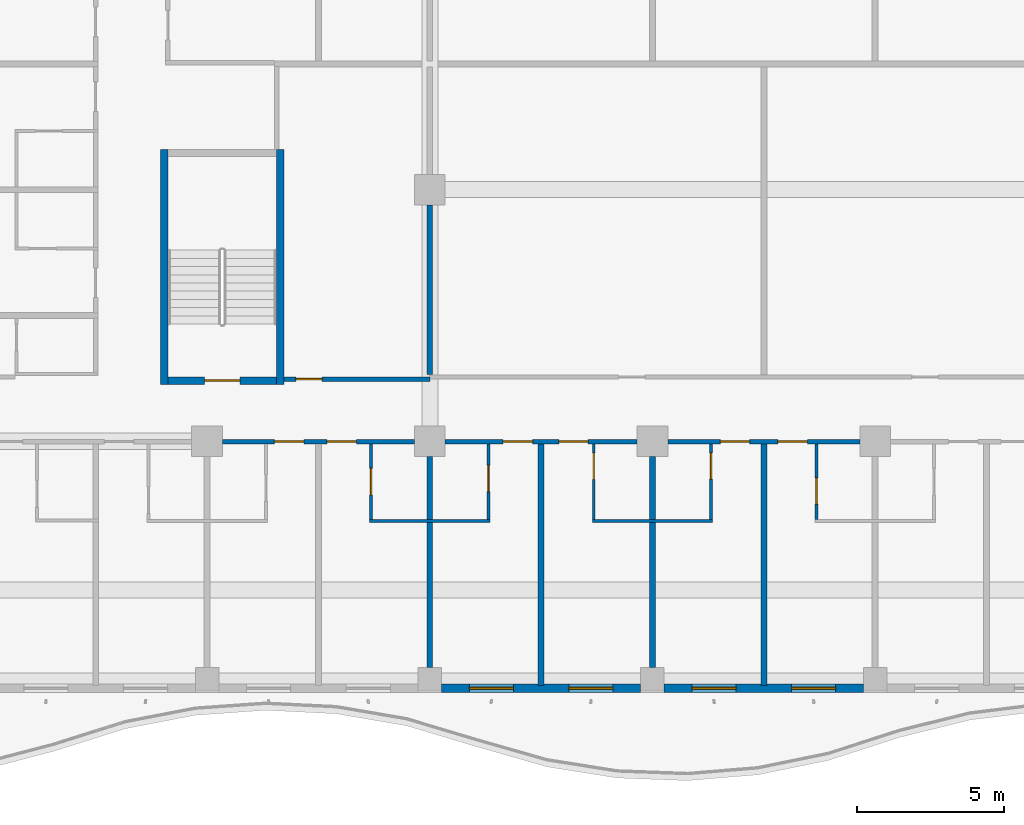
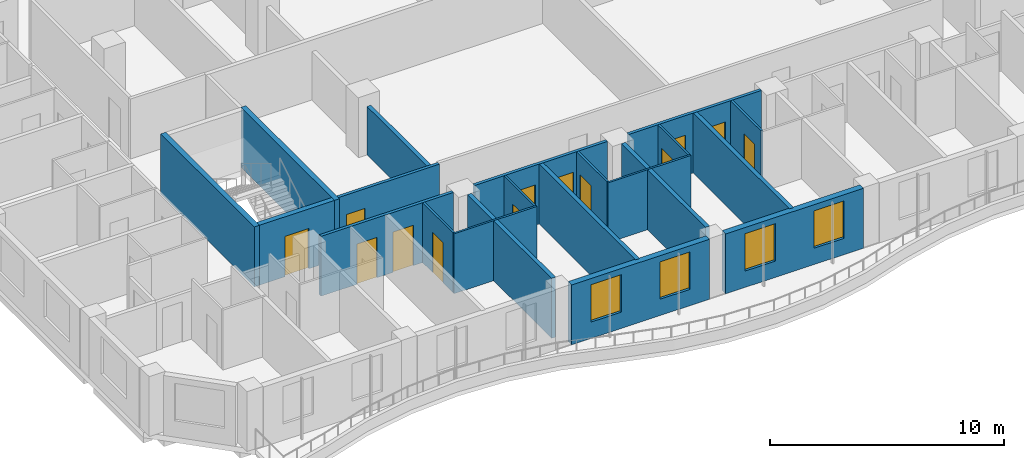
# One storey, part 3 of 24: 23 walls, 13 doors, 4 windows, 17 openings.
"""IFC4 building model written with IfcOpenShell, lengths in metres."""

from ifc_helpers import new_model, si_unit, direction, frame, frame_2d, origin, place, context, subcontext, project, spatial, rectangle, extrude, source, transform, mapped, material, layer, layer_set, type_object, element, fill, save


model = new_model("IFC4")

# Units and contexts
model_context = context("Model", 3, precision=1e-05, world=origin(), true_north=direction((0.0, 1.0)))
body_context = subcontext(model_context, "Body", "Model", "MODEL_VIEW")
ifc_project = project(units=[si_unit("LENGTHUNIT", "METRE"), si_unit("AREAUNIT", "SQUARE_METRE"), si_unit("VOLUMEUNIT", "CUBIC_METRE"), si_unit("PLANEANGLEUNIT", "RADIAN"), si_unit("MASSUNIT", "GRAM", prefix="KILO")], contexts=[model_context])

# Site, building, storey
site_placement = place(None, origin())
site = spatial("IfcSite", under=ifc_project, at=site_placement, CompositionType="ELEMENT")
building_placement = place(site_placement, origin())
building = spatial("IfcBuilding", under=site, at=building_placement, Name="Kilnfold Tower and Market Hall", CompositionType="ELEMENT")
storey_placement = place(building_placement, frame((0.0, 0.0, 175.300048828125)))
storey = spatial("IfcBuildingStorey", under=building, at=storey_placement, Name="L41", CompositionType="ELEMENT", Elevation=175.300048828125)

# Wall, openings, doors
ifc_material_1 = material(Name="Gypsum board on steel studs", Category="steel")
ifc_layer_1 = layer(ifc_material_1, 0.14990234375)
ifc_layer_set_1 = layer_set([ifc_layer_1], Name="Gypsum board on steel studs")
wall_type_1 = type_object("IfcWallType", Name="WALL CORRIDOR 150", PredefinedType="PARTITIONING", material=ifc_layer_set_1)
wall_1_placement = place(storey_placement, frame((-15.64208984375, -17.699951171875, 0.0), z_axis=(0.0, 0.0, 1.0), x_axis=(1.0, 0.0, 0.0)))
wall_1 = element("IfcWall", 1, at=wall_1_placement, inside=storey, type_object=wall_type_1, Name="Partition LY26.2", PredefinedType="PARTITIONING", context=body_context, shape_type="SweptSolid", body=[
    extrude(rectangle(XDim=6.5341796875, YDim=0.14990234375, at=frame_2d((3.26708984375, 0.0))), origin(), (0.0, 0.0, 1.0), 3.119873046875),
])
opening_1_placement = place(wall_1_placement, frame((1.76806640625, 0.0, 0.0)))
opening_1 = element("IfcOpeningElement", 2, at=opening_1_placement, cuts=wall_1, Name="Opening D1", PredefinedType="OPENING", context=body_context, shape_type="SweptSolid", body=[
    extrude(rectangle(XDim=1.0, YDim=2.10009765625, at=frame_2d((0.5, 1.050048828125))), frame((0.0, 0.0849609375, 0.0), z_axis=(0.0, -1.0, 0.0), x_axis=(1.0, 0.0, 0.0)), (0.0, 0.0, 1.0), 0.169921875),
])
opening_2_placement = place(wall_1_placement, frame((3.56005859375, 0.0, 0.0)))
opening_2 = element("IfcOpeningElement", 3, at=opening_2_placement, cuts=wall_1, Name="Opening D1", PredefinedType="OPENING", context=body_context, shape_type="SweptSolid", body=[
    extrude(rectangle(XDim=1.0, YDim=2.10009765625, at=frame_2d((0.5, 1.050048828125))), frame((0.0, 0.0849609375, 0.0), z_axis=(0.0, -1.0, 0.0), x_axis=(1.0, 0.0, 0.0)), (0.0, 0.0, 1.0), 0.169921875),
])
ifc_material_2 = material(Name="Timber veneer door leaf in steel frame", Category="steel")
door_type_1 = type_object("IfcDoorType", Name="DOOR ENTRY 1000 X2100", OperationType="NOTDEFINED", PredefinedType="DOOR", material=ifc_material_2)
door_1_placement = place(opening_1_placement, origin())
door_1 = element("IfcDoor", 4, at=door_1_placement, inside=storey, type_object=door_type_1, Name="Door D1", OperationType="SINGLE_SWING_RIGHT", OverallHeight=2.10009765625, OverallWidth=1.0, PredefinedType="DOOR", context=body_context, shape_type="SweptSolid", body=[
    extrude(rectangle(XDim=1.0, YDim=2.10009765625, at=frame_2d((0.5, 1.050048828125))), frame((0.0, 0.02490234375, 0.0), z_axis=(0.0, -1.0, 0.0), x_axis=(1.0, 0.0, 0.0)), (0.0, 0.0, 1.0), 0.050048828125),
])
fill(opening_1, door_1)
door_2_placement = place(opening_2_placement, origin())
door_2 = element("IfcDoor", 5, at=door_2_placement, inside=storey, type_object=door_type_1, Name="Door D1", OperationType="SINGLE_SWING_RIGHT", OverallHeight=2.10009765625, OverallWidth=1.0, PredefinedType="DOOR", context=body_context, shape_type="SweptSolid", body=[
    extrude(rectangle(XDim=1.0, YDim=2.10009765625, at=frame_2d((0.5, 1.050048828125))), frame((0.0, 0.02490234375, 0.0), z_axis=(0.0, -1.0, 0.0), x_axis=(1.0, 0.0, 0.0)), (0.0, 0.0, 1.0), 0.050048828125),
])
fill(opening_2, door_2)

wall_2_placement = place(storey_placement, frame((-8.05810546875, -17.699951171875, 0.0), z_axis=(0.0, 0.0, 1.0), x_axis=(1.0, 0.0, 0.0)))
wall_2 = element("IfcWall", 6, at=wall_2_placement, inside=storey, type_object=wall_type_1, Name="Partition LY26.3", PredefinedType="PARTITIONING", context=body_context, shape_type="SweptSolid", body=[
    extrude(rectangle(XDim=6.533203125, YDim=0.14990234375, at=frame_2d((3.2666015625, 0.0))), origin(), (0.0, 0.0, 1.0), 3.119873046875),
])
opening_3_placement = place(wall_2_placement, frame((1.972900390625, 0.0, 0.0)))
opening_3 = element("IfcOpeningElement", 7, at=opening_3_placement, cuts=wall_2, Name="Opening D1", PredefinedType="OPENING", context=body_context, shape_type="SweptSolid", body=[
    extrude(rectangle(XDim=1.0, YDim=2.10009765625, at=frame_2d((0.5, 1.050048828125))), frame((0.0, 0.0849609375, 0.0), z_axis=(0.0, -1.0, 0.0), x_axis=(1.0, 0.0, 0.0)), (0.0, 0.0, 1.0), 0.169921875),
])
opening_4_placement = place(wall_2_placement, frame((3.867919921875, 0.0, 0.0)))
opening_4 = element("IfcOpeningElement", 8, at=opening_4_placement, cuts=wall_2, Name="Opening D1", PredefinedType="OPENING", context=body_context, shape_type="SweptSolid", body=[
    extrude(rectangle(XDim=1.0, YDim=2.10009765625, at=frame_2d((0.5, 1.050048828125))), frame((0.0, 0.0849609375, 0.0), z_axis=(0.0, -1.0, 0.0), x_axis=(1.0, 0.0, 0.0)), (0.0, 0.0, 1.0), 0.169921875),
])
door_3_placement = place(opening_3_placement, origin())
door_3 = element("IfcDoor", 9, at=door_3_placement, inside=storey, type_object=door_type_1, Name="Door D1", OperationType="SINGLE_SWING_RIGHT", OverallHeight=2.10009765625, OverallWidth=1.0, PredefinedType="DOOR", context=body_context, shape_type="SweptSolid", body=[
    extrude(rectangle(XDim=1.0, YDim=2.10009765625, at=frame_2d((0.5, 1.050048828125))), frame((0.0, 0.02490234375, 0.0), z_axis=(0.0, -1.0, 0.0), x_axis=(1.0, 0.0, 0.0)), (0.0, 0.0, 1.0), 0.050048828125),
])
fill(opening_3, door_3)
door_4_placement = place(opening_4_placement, origin())
door_4 = element("IfcDoor", 10, at=door_4_placement, inside=storey, type_object=door_type_1, Name="Door D1", OperationType="SINGLE_SWING_LEFT", OverallHeight=2.10009765625, OverallWidth=1.0, PredefinedType="DOOR", context=body_context, shape_type="SweptSolid", body=[
    extrude(rectangle(XDim=1.0, YDim=2.10009765625, at=frame_2d((0.5, 1.050048828125))), frame((0.0, 0.02490234375, 0.0), z_axis=(0.0, -1.0, 0.0), x_axis=(1.0, 0.0, 0.0)), (0.0, 0.0, 1.0), 0.050048828125),
])
fill(opening_4, door_4)

wall_3_placement = place(storey_placement, frame((-0.47509765625, -17.699951171875, 0.0), z_axis=(0.0, 0.0, 1.0), x_axis=(1.0, 0.0, 0.0)))
wall_3 = element("IfcWall", 11, at=wall_3_placement, inside=storey, type_object=wall_type_1, Name="Partition LY26.4", PredefinedType="PARTITIONING", context=body_context, shape_type="SweptSolid", body=[
    extrude(rectangle(XDim=6.533203125, YDim=0.14990234375, at=frame_2d((3.2666015625, 0.0))), origin(), (0.0, 0.0, 1.0), 3.119873046875),
])
opening_5_placement = place(wall_3_placement, frame((1.785888671875, 0.0, 0.0)))
opening_5 = element("IfcOpeningElement", 12, at=opening_5_placement, cuts=wall_3, Name="Opening D1", PredefinedType="OPENING", context=body_context, shape_type="SweptSolid", body=[
    extrude(rectangle(XDim=1.0, YDim=2.10009765625, at=frame_2d((0.5, 1.050048828125))), frame((0.0, 0.0849609375, 0.0), z_axis=(0.0, -1.0, 0.0), x_axis=(1.0, 0.0, 0.0)), (0.0, 0.0, 1.0), 0.169921875),
])
opening_6_placement = place(wall_3_placement, frame((3.748046875, 0.0, 0.0)))
opening_6 = element("IfcOpeningElement", 13, at=opening_6_placement, cuts=wall_3, Name="Opening D1", PredefinedType="OPENING", context=body_context, shape_type="SweptSolid", body=[
    extrude(rectangle(XDim=1.0, YDim=2.10009765625, at=frame_2d((0.5, 1.050048828125))), frame((0.0, 0.0849609375, 0.0), z_axis=(0.0, -1.0, 0.0), x_axis=(1.0, 0.0, 0.0)), (0.0, 0.0, 1.0), 0.169921875),
])
door_5_placement = place(opening_5_placement, origin())
door_5 = element("IfcDoor", 14, at=door_5_placement, inside=storey, type_object=door_type_1, Name="Door D1", OperationType="SINGLE_SWING_RIGHT", OverallHeight=2.10009765625, OverallWidth=1.0, PredefinedType="DOOR", context=body_context, shape_type="SweptSolid", body=[
    extrude(rectangle(XDim=1.0, YDim=2.10009765625, at=frame_2d((0.5, 1.050048828125))), frame((0.0, 0.02490234375, 0.0), z_axis=(0.0, -1.0, 0.0), x_axis=(1.0, 0.0, 0.0)), (0.0, 0.0, 1.0), 0.050048828125),
])
fill(opening_5, door_5)
door_6_placement = place(opening_6_placement, origin())
door_6 = element("IfcDoor", 15, at=door_6_placement, inside=storey, type_object=door_type_1, Name="Door D1", OperationType="SINGLE_SWING_RIGHT", OverallHeight=2.10009765625, OverallWidth=1.0, PredefinedType="DOOR", context=body_context, shape_type="SweptSolid", body=[
    extrude(rectangle(XDim=1.0, YDim=2.10009765625, at=frame_2d((0.5, 1.050048828125))), frame((0.0, 0.02490234375, 0.0), z_axis=(0.0, -1.0, 0.0), x_axis=(1.0, 0.0, 0.0)), (0.0, 0.0, 1.0), 0.050048828125),
])
fill(opening_6, door_6)

# Wall, opening, door
wall_4_placement = place(storey_placement, frame((-8.572998046875, -15.574951171875, 0.0), z_axis=(0.0, 0.0, 1.0), x_axis=(-1.0, 0.0, 0.0)))
wall_4 = element("IfcWall", 16, at=wall_4_placement, inside=storey, type_object=wall_type_1, Name="Partition LY26.47", PredefinedType="PARTITIONING", context=body_context, shape_type="SweptSolid", body=[
    extrude(rectangle(XDim=4.97705078125, YDim=0.14990234375, at=frame_2d((2.488525390625, 0.0))), origin(), (0.0, 0.0, 1.0), 3.119873046875),
])
opening_7_placement = place(wall_4_placement, frame((3.673095703125, 0.0, 0.0)))
opening_7 = element("IfcOpeningElement", 17, at=opening_7_placement, cuts=wall_4, Name="Opening D2", PredefinedType="OPENING", context=body_context, shape_type="SweptSolid", body=[
    extrude(rectangle(XDim=0.89990234375, YDim=2.10009765625, at=frame_2d((0.449951171875, 1.050048828125))), frame((0.0, 0.0849609375, 0.0), z_axis=(0.0, -1.0, 0.0), x_axis=(1.0, 0.0, 0.0)), (0.0, 0.0, 1.0), 0.169921875),
])
ifc_material_3 = material(Name="Timber veneer door leaf in steel frame", Category="steel")
door_type_2 = type_object("IfcDoorType", Name="DOOR ROOM 900 X2100", OperationType="NOTDEFINED", PredefinedType="DOOR", material=ifc_material_3)
door_7_placement = place(opening_7_placement, origin())
door_7 = element("IfcDoor", 18, at=door_7_placement, inside=storey, type_object=door_type_2, Name="Door D2", OperationType="SINGLE_SWING_LEFT", OverallHeight=2.10009765625, OverallWidth=0.89990234375, PredefinedType="DOOR", context=body_context, shape_type="SweptSolid", body=[
    extrude(rectangle(XDim=0.89990234375, YDim=2.10009765625, at=frame_2d((0.449951171875, 1.050048828125))), frame((0.0, 0.02490234375, 0.0), z_axis=(0.0, -1.0, 0.0), x_axis=(1.0, 0.0, 0.0)), (0.0, 0.0, 1.0), 0.050048828125),
])
fill(opening_7, door_7)

ifc_material_4 = material(Name="Gypsum board on steel studs", Category="steel")
ifc_layer_2 = layer(ifc_material_4, 0.10009765625)
ifc_layer_set_2 = layer_set([ifc_layer_2], Name="Gypsum board on steel studs")
wall_type_2 = type_object("IfcWallType", Name="WALL PARTITION 100", PredefinedType="PARTITIONING", material=ifc_layer_set_2)
wall_5_placement = place(storey_placement, frame((-10.5830078125, -20.35205078125, 0.0), z_axis=(0.0, 0.0, 1.0), x_axis=(0.0, 1.0, 0.0)))
wall_5 = element("IfcWall", 19, at=wall_5_placement, inside=storey, type_object=wall_type_2, Name="Partition LY26.61", PredefinedType="PARTITIONING", context=body_context, shape_type="SweptSolid", body=[
    extrude(rectangle(XDim=2.574951171875, YDim=0.10009765625, at=frame_2d((1.28759765625, 0.0))), origin(), (0.0, 0.0, 1.0), 3.119873046875),
])
opening_8_placement = place(wall_5_placement, frame((0.8369140625, 0.0, 0.0)))
opening_8 = element("IfcOpeningElement", 20, at=opening_8_placement, cuts=wall_5, Name="Opening D3", PredefinedType="OPENING", context=body_context, shape_type="SweptSolid", body=[
    extrude(rectangle(XDim=0.89990234375, YDim=2.10009765625, at=frame_2d((0.449951171875, 1.050048828125))), frame((0.0, 0.06005859375, 0.0), z_axis=(0.0, -1.0, 0.0), x_axis=(1.0, 0.0, 0.0)), (0.0, 0.0, 1.0), 0.1201171875),
])
ifc_material_5 = material(Name="Timber veneer door leaf in steel frame", Category="steel")
door_type_3 = type_object("IfcDoorType", Name="DOOR WC 900 X2100", OperationType="NOTDEFINED", PredefinedType="DOOR", material=ifc_material_5)
door_8_placement = place(opening_8_placement, origin())
door_8 = element("IfcDoor", 21, at=door_8_placement, inside=storey, type_object=door_type_3, Name="Door D3", OperationType="SINGLE_SWING_LEFT", OverallHeight=2.10009765625, OverallWidth=0.89990234375, PredefinedType="DOOR", context=body_context, shape_type="SweptSolid", body=[
    extrude(rectangle(XDim=0.89990234375, YDim=2.10009765625, at=frame_2d((0.449951171875, 1.050048828125))), frame((0.0, 0.02490234375, 0.0), z_axis=(0.0, -1.0, 0.0), x_axis=(1.0, 0.0, 0.0)), (0.0, 0.0, 1.0), 0.050048828125),
])
fill(opening_8, door_8)

# Wall
wall_6_placement = place(storey_placement, frame((-10.633056640625, -20.402099609375, 0.0), z_axis=(0.0, 0.0, 1.0), x_axis=(1.0, 0.0, 0.0)))
element("IfcWall", 22, at=wall_6_placement, inside=storey, type_object=wall_type_2, Name="Partition LY26.62", PredefinedType="PARTITIONING", context=body_context, shape_type="SweptSolid", body=[
    extrude(rectangle(XDim=4.10009765625, YDim=0.10009765625, at=frame_2d((2.050048828125, 0.0))), origin(), (0.0, 0.0, 1.0), 3.119873046875),
])

# Wall, opening, door
wall_7_placement = place(storey_placement, frame((-6.5830078125, -17.777099609375, 0.0), z_axis=(0.0, 0.0, 1.0), x_axis=(0.0, -1.0, 0.0)))
wall_7 = element("IfcWall", 23, at=wall_7_placement, inside=storey, type_object=wall_type_2, Name="Partition LY26.65", PredefinedType="PARTITIONING", context=body_context, shape_type="SweptSolid", body=[
    extrude(rectangle(XDim=2.574951171875, YDim=0.10009765625, at=frame_2d((1.28759765625, 0.0))), origin(), (0.0, 0.0, 1.0), 3.119873046875),
])
opening_9_placement = place(wall_7_placement, frame((0.73095703125, 0.0, 0.0)))
opening_9 = element("IfcOpeningElement", 24, at=opening_9_placement, cuts=wall_7, Name="Opening D3", PredefinedType="OPENING", context=body_context, shape_type="SweptSolid", body=[
    extrude(rectangle(XDim=0.89990234375, YDim=2.10009765625, at=frame_2d((0.449951171875, 1.050048828125))), frame((0.0, 0.06005859375, 0.0), z_axis=(0.0, -1.0, 0.0), x_axis=(1.0, 0.0, 0.0)), (0.0, 0.0, 1.0), 0.1201171875),
])
door_9_placement = place(opening_9_placement, origin())
door_9 = element("IfcDoor", 25, at=door_9_placement, inside=storey, type_object=door_type_3, Name="Door D3", OperationType="SINGLE_SWING_RIGHT", OverallHeight=2.10009765625, OverallWidth=0.89990234375, PredefinedType="DOOR", context=body_context, shape_type="SweptSolid", body=[
    extrude(rectangle(XDim=0.89990234375, YDim=2.10009765625, at=frame_2d((0.449951171875, 1.050048828125))), frame((0.0, 0.02490234375, 0.0), z_axis=(0.0, -1.0, 0.0), x_axis=(1.0, 0.0, 0.0)), (0.0, 0.0, 1.0), 0.050048828125),
])
fill(opening_9, door_9)

wall_8_placement = place(storey_placement, frame((-3.0, -20.35205078125, 0.0), z_axis=(0.0, 0.0, 1.0), x_axis=(0.0, 1.0, 0.0)))
wall_8 = element("IfcWall", 26, at=wall_8_placement, inside=storey, type_object=wall_type_2, Name="Partition LY26.67", PredefinedType="PARTITIONING", context=body_context, shape_type="SweptSolid", body=[
    extrude(rectangle(XDim=2.574951171875, YDim=0.10009765625, at=frame_2d((1.28759765625, 0.0))), origin(), (0.0, 0.0, 1.0), 3.119873046875),
])
opening_10_placement = place(wall_8_placement, frame((1.368896484375, 0.0, 0.0)))
opening_10 = element("IfcOpeningElement", 27, at=opening_10_placement, cuts=wall_8, Name="Opening D3", PredefinedType="OPENING", context=body_context, shape_type="SweptSolid", body=[
    extrude(rectangle(XDim=0.89990234375, YDim=2.10009765625, at=frame_2d((0.449951171875, 1.050048828125))), frame((0.0, 0.06005859375, 0.0), z_axis=(0.0, -1.0, 0.0), x_axis=(1.0, 0.0, 0.0)), (0.0, 0.0, 1.0), 0.1201171875),
])
door_10_placement = place(opening_10_placement, origin())
door_10 = element("IfcDoor", 28, at=door_10_placement, inside=storey, type_object=door_type_3, Name="Door D3", OperationType="SINGLE_SWING_RIGHT", OverallHeight=2.10009765625, OverallWidth=0.89990234375, PredefinedType="DOOR", context=body_context, shape_type="SweptSolid", body=[
    extrude(rectangle(XDim=0.89990234375, YDim=2.10009765625, at=frame_2d((0.449951171875, 1.050048828125))), frame((0.0, 0.02490234375, 0.0), z_axis=(0.0, -1.0, 0.0), x_axis=(1.0, 0.0, 0.0)), (0.0, 0.0, 1.0), 0.050048828125),
])
fill(opening_10, door_10)

# Wall
wall_9_placement = place(storey_placement, frame((-3.050048828125, -20.402099609375, 0.0), z_axis=(0.0, 0.0, 1.0), x_axis=(1.0, 0.0, 0.0)))
element("IfcWall", 29, at=wall_9_placement, inside=storey, type_object=wall_type_2, Name="Partition LY26.68", PredefinedType="PARTITIONING", context=body_context, shape_type="SweptSolid", body=[
    extrude(rectangle(XDim=4.10009765625, YDim=0.10009765625, at=frame_2d((2.050048828125, 0.0))), origin(), (0.0, 0.0, 1.0), 3.119873046875),
])

# Wall, opening, door
wall_10_placement = place(storey_placement, frame((1.0, -17.777099609375, 0.0), z_axis=(0.0, 0.0, 1.0), x_axis=(0.0, -1.0, 0.0)))
wall_10 = element("IfcWall", 30, at=wall_10_placement, inside=storey, type_object=wall_type_2, Name="Partition LY26.71", PredefinedType="PARTITIONING", context=body_context, shape_type="SweptSolid", body=[
    extrude(rectangle(XDim=2.574951171875, YDim=0.10009765625, at=frame_2d((1.28759765625, 0.0))), origin(), (0.0, 0.0, 1.0), 3.119873046875),
])
opening_11_placement = place(wall_10_placement, frame((0.305908203125, 0.0, 0.0)))
opening_11 = element("IfcOpeningElement", 31, at=opening_11_placement, cuts=wall_10, Name="Opening D3", PredefinedType="OPENING", context=body_context, shape_type="SweptSolid", body=[
    extrude(rectangle(XDim=0.89990234375, YDim=2.10009765625, at=frame_2d((0.449951171875, 1.050048828125))), frame((0.0, 0.06005859375, 0.0), z_axis=(0.0, -1.0, 0.0), x_axis=(1.0, 0.0, 0.0)), (0.0, 0.0, 1.0), 0.1201171875),
])
door_11_placement = place(opening_11_placement, origin())
door_11 = element("IfcDoor", 32, at=door_11_placement, inside=storey, type_object=door_type_3, Name="Door D3", OperationType="SINGLE_SWING_RIGHT", OverallHeight=2.10009765625, OverallWidth=0.89990234375, PredefinedType="DOOR", context=body_context, shape_type="SweptSolid", body=[
    extrude(rectangle(XDim=0.89990234375, YDim=2.10009765625, at=frame_2d((0.449951171875, 1.050048828125))), frame((0.0, 0.02490234375, 0.0), z_axis=(0.0, -1.0, 0.0), x_axis=(1.0, 0.0, 0.0)), (0.0, 0.0, 1.0), 0.050048828125),
])
fill(opening_11, door_11)

wall_11_placement = place(storey_placement, frame((4.5830078125, -20.35205078125, 0.0), z_axis=(0.0, 0.0, 1.0), x_axis=(0.0, 1.0, 0.0)))
wall_11 = element("IfcWall", 33, at=wall_11_placement, inside=storey, type_object=wall_type_2, Name="Partition LY26.73", PredefinedType="PARTITIONING", context=body_context, shape_type="SweptSolid", body=[
    extrude(rectangle(XDim=2.574951171875, YDim=0.10009765625, at=frame_2d((1.28759765625, 0.0))), origin(), (0.0, 0.0, 1.0), 3.119873046875),
])
opening_12_placement = place(wall_11_placement, frame((0.51904296875, 0.0, 0.0)))
opening_12 = element("IfcOpeningElement", 34, at=opening_12_placement, cuts=wall_11, Name="Opening D3", PredefinedType="OPENING", context=body_context, shape_type="SweptSolid", body=[
    extrude(rectangle(XDim=0.89990234375, YDim=2.10009765625, at=frame_2d((0.449951171875, 1.050048828125))), frame((0.0, 0.06005859375, 0.0), z_axis=(0.0, -1.0, 0.0), x_axis=(1.0, 0.0, 0.0)), (0.0, 0.0, 1.0), 0.1201171875),
])
door_12_placement = place(opening_12_placement, origin())
door_12 = element("IfcDoor", 35, at=door_12_placement, inside=storey, type_object=door_type_3, Name="Door D3", OperationType="SINGLE_SWING_RIGHT", OverallHeight=2.10009765625, OverallWidth=0.89990234375, PredefinedType="DOOR", context=body_context, shape_type="SweptSolid", body=[
    extrude(rectangle(XDim=0.89990234375, YDim=2.10009765625, at=frame_2d((0.449951171875, 1.050048828125))), frame((0.0, 0.02490234375, 0.0), z_axis=(0.0, -1.0, 0.0), x_axis=(1.0, 0.0, 0.0)), (0.0, 0.0, 1.0), 0.050048828125),
])
fill(opening_12, door_12)

# Walls
ifc_material_6 = material(Name="Gypsum board on steel studs", Category="steel")
ifc_layer_3 = layer(ifc_material_6, 0.199951171875)
ifc_layer_set_3 = layer_set([ifc_layer_3], Name="Gypsum board on steel studs")
wall_type_3 = type_object("IfcWallType", Name="WALL PARTY 200", PredefinedType="PARTITIONING", material=ifc_layer_set_3)
wall_12_placement = place(storey_placement, frame((-8.5830078125, -25.39990234375, 0.0), z_axis=(0.0, 0.0, 1.0), x_axis=(0.0, 1.0, 0.0)))
element("IfcWall", 36, at=wall_12_placement, inside=storey, type_object=wall_type_3, Name="Partition LY26.63", PredefinedType="PARTITIONING", context=body_context, shape_type="SweptSolid", body=[
    extrude(rectangle(XDim=4.947998046875, YDim=0.199951171875, at=frame_2d((2.47412109375, 0.0))), origin(), (0.0, 0.0, 1.0), 3.119873046875),
])
wall_13_placement = place(storey_placement, frame((-8.5830078125, -20.35205078125, 0.0), z_axis=(0.0, 0.0, 1.0), x_axis=(0.0, 1.0, 0.0)))
element("IfcWall", 37, at=wall_13_placement, inside=storey, type_object=wall_type_3, Name="Partition LY26.64", PredefinedType="PARTITIONING", context=body_context, shape_type="SweptSolid", body=[
    extrude(rectangle(XDim=2.14013671875, YDim=0.199951171875, at=frame_2d((1.070068359375, 0.0))), origin(), (0.0, 0.0, 1.0), 3.119873046875),
])
wall_14_placement = place(storey_placement, frame((-4.7919921875, -26.0, 0.0), z_axis=(0.0, 0.0, 1.0), x_axis=(0.0, 1.0, 0.0)))
element("IfcWall", 38, at=wall_14_placement, inside=storey, type_object=wall_type_3, Name="Partition LY26.66", PredefinedType="PARTITIONING", context=body_context, shape_type="SweptSolid", body=[
    extrude(rectangle(XDim=8.222900390625, YDim=0.199951171875, at=frame_2d((4.111328125, 0.0))), origin(), (0.0, 0.0, 1.0), 3.119873046875),
])
wall_15_placement = place(storey_placement, frame((-1.0, -25.39990234375, 0.0), z_axis=(0.0, 0.0, 1.0), x_axis=(0.0, 1.0, 0.0)))
element("IfcWall", 39, at=wall_15_placement, inside=storey, type_object=wall_type_3, Name="Partition LY26.69", PredefinedType="PARTITIONING", context=body_context, shape_type="SweptSolid", body=[
    extrude(rectangle(XDim=4.947998046875, YDim=0.199951171875, at=frame_2d((2.47412109375, 0.0))), origin(), (0.0, 0.0, 1.0), 3.119873046875),
])
wall_16_placement = place(storey_placement, frame((-1.0, -20.35205078125, 0.0), z_axis=(0.0, 0.0, 1.0), x_axis=(0.0, 1.0, 0.0)))
element("IfcWall", 40, at=wall_16_placement, inside=storey, type_object=wall_type_3, Name="Partition LY26.70", PredefinedType="PARTITIONING", context=body_context, shape_type="SweptSolid", body=[
    extrude(rectangle(XDim=2.14013671875, YDim=0.199951171875, at=frame_2d((1.070068359375, 0.0))), origin(), (0.0, 0.0, 1.0), 3.119873046875),
])
wall_17_placement = place(storey_placement, frame((2.7919921875, -26.0, 0.0), z_axis=(0.0, 0.0, 1.0), x_axis=(0.0, 1.0, 0.0)))
element("IfcWall", 41, at=wall_17_placement, inside=storey, type_object=wall_type_3, Name="Partition LY26.72", PredefinedType="PARTITIONING", context=body_context, shape_type="SweptSolid", body=[
    extrude(rectangle(XDim=8.222900390625, YDim=0.199951171875, at=frame_2d((4.111328125, 0.0))), origin(), (0.0, 0.0, 1.0), 3.119873046875),
])
wall_18_placement = place(storey_placement, frame((-8.5830078125, -15.423095703125, 0.0), z_axis=(0.0, 0.0, 1.0), x_axis=(0.0, 1.0, 0.0)))
element("IfcWall", 42, at=wall_18_placement, inside=storey, type_object=wall_type_3, Name="Partition LY26.141", PredefinedType="PARTITIONING", context=body_context, shape_type="SweptSolid", body=[
    extrude(rectangle(XDim=5.773193359375, YDim=0.199951171875, at=frame_2d((2.88671875, 0.0))), origin(), (0.0, 0.0, 1.0), 2.52001953125),
])

# Wall, opening, door
ifc_material_7 = material(Name="Concrete C70", Category="concrete")
ifc_layer_4 = layer(ifc_material_7, 0.25)
ifc_layer_set_4 = layer_set([ifc_layer_4], Name="Concrete C70")
wall_type_4 = type_object("IfcWallType", Name="CORE WALL 250 C70", PredefinedType="SHEAR", material=ifc_layer_set_4)
shared_shape_1 = source(origin(), body_context, "Body", "SweptSolid", [
    extrude(rectangle(XDim=3.699951171875, YDim=0.25, at=frame_2d((1.85009765625, 0.0))), origin(), (0.0, 0.0, 1.0), 3.119873046875),
])
wall_19_placement = place(storey_placement, frame((-17.5, -15.625, 0.0), z_axis=(0.0, 0.0, 1.0), x_axis=(1.0, 0.0, 0.0)))
wall_19 = element("IfcWall", 43, at=wall_19_placement, inside=storey, type_object=wall_type_4, Name="Stair enclosure ST3", PredefinedType="SHEAR", context=body_context, shape_type="MappedRepresentation", body=[
    mapped(shared_shape_1, transform((0.0, 0.0, 0.0))),
])
opening_13_placement = place(wall_19_placement, frame((1.25, 0.0, 0.0)))
opening_13 = element("IfcOpeningElement", 44, at=opening_13_placement, cuts=wall_19, Name="Opening SD1", PredefinedType="OPENING", context=body_context, shape_type="SweptSolid", body=[
    extrude(rectangle(XDim=1.199951171875, YDim=2.10009765625, at=frame_2d((0.60009765625, 1.050048828125))), frame((0.0, 0.135009765625, 0.0), z_axis=(0.0, -1.0, 0.0), x_axis=(1.0, 0.0, 0.0)), (0.0, 0.0, 1.0), 0.27001953125),
])
ifc_material_8 = material(Name="Steel door set with fire-resisting leaf", Category="steel")
door_type_4 = type_object("IfcDoorType", Name="STAIR FLOOR DOOR 1200X2100", OperationType="NOTDEFINED", PredefinedType="DOOR", material=ifc_material_8)
door_13_placement = place(opening_13_placement, origin())
door_13 = element("IfcDoor", 45, at=door_13_placement, inside=storey, type_object=door_type_4, Name="Exit stair ST3 door", OperationType="DOUBLE_DOOR_SINGLE_SWING", OverallHeight=2.10009765625, OverallWidth=1.199951171875, PredefinedType="DOOR", context=body_context, shape_type="SweptSolid", body=[
    extrude(rectangle(XDim=1.199951171875, YDim=2.10009765625, at=frame_2d((0.60009765625, 1.050048828125))), frame((0.0, 0.02490234375, 0.0), z_axis=(0.0, -1.0, 0.0), x_axis=(1.0, 0.0, 0.0)), (0.0, 0.0, 1.0), 0.050048828125),
])
fill(opening_13, door_13)

# Walls
shared_shape_2 = source(origin(), body_context, "Body", "SweptSolid", [
    extrude(rectangle(XDim=8.0, YDim=0.25, at=frame_2d((4.0, 0.0))), origin(), (0.0, 0.0, 1.0), 3.119873046875),
])
for number, where, z_axis, x_axis, name in (
    (46, (-17.625, -15.75, 0.0), (0.0, 0.0, 1.0), (0.0, 1.0, 0.0), "Stair enclosure ST3"),
    (47, (-13.675048828125, -15.75, 0.0), (0.0, 0.0, 1.0), (0.0, 1.0, 0.0), "Stair enclosure ST3"),
):
    element("IfcWall", number, at=place(storey_placement, frame(where, z_axis=z_axis, x_axis=x_axis)), inside=storey, type_object=wall_type_4, Name=name, PredefinedType="SHEAR", context=body_context, shape_type="MappedRepresentation", body=[
        mapped(shared_shape_2, transform((0.0, 0.0, 0.0))),
    ])

# Wall, openings, windows
ifc_material_9 = material(Name="Precast concrete C50/60", Category="concrete")
ifc_layer_5 = layer(ifc_material_9, 0.300048828125)
ifc_layer_set_5 = layer_set([ifc_layer_5], Name="Precast concrete C50/60")
wall_type_5 = type_object("IfcWallType", Name="PRECAST WALL 300", PredefinedType="SOLIDWALL", material=ifc_layer_set_5)
shared_shape_3 = source(origin(), body_context, "Body", "SweptSolid", [
    extrude(rectangle(XDim=6.783447265625, YDim=0.300048828125, at=frame_2d((3.3916015625, 0.0))), origin(), (0.0, 0.0, 1.0), 3.119873046875),
])
wall_20_placement = place(storey_placement, frame((-8.183349609375, -26.10009765625, 0.0), z_axis=(0.0, 0.0, 1.0), x_axis=(1.0, 0.0, 0.0)))
wall_20 = element("IfcWall", 48, at=wall_20_placement, inside=storey, type_object=wall_type_5, Name="External wall L41 S", PredefinedType="SOLIDWALL", context=body_context, shape_type="MappedRepresentation", body=[
    mapped(shared_shape_3, transform((0.0, 0.0, 0.0))),
])
opening_14_placement = place(wall_20_placement, frame((0.94580078125, 0.0, 0.85009765625)))
opening_14 = element("IfcOpeningElement", 49, at=opening_14_placement, cuts=wall_20, Name="Opening W4", PredefinedType="OPENING", context=body_context, shape_type="SweptSolid", body=[
    extrude(rectangle(XDim=1.5, YDim=1.949951171875, at=frame_2d((0.75, 0.97509765625))), frame((0.0, 0.16015625, 0.0), z_axis=(0.0, -1.0, 0.0), x_axis=(1.0, 0.0, 0.0)), (0.0, 0.0, 1.0), 0.320068359375),
])
opening_15_placement = place(wall_20_placement, frame((4.33740234375, 0.0, 0.85009765625)))
opening_15 = element("IfcOpeningElement", 50, at=opening_15_placement, cuts=wall_20, Name="Opening W4", PredefinedType="OPENING", context=body_context, shape_type="SweptSolid", body=[
    extrude(rectangle(XDim=1.5, YDim=1.949951171875, at=frame_2d((0.75, 0.97509765625))), frame((0.0, 0.16015625, 0.0), z_axis=(0.0, -1.0, 0.0), x_axis=(1.0, 0.0, 0.0)), (0.0, 0.0, 1.0), 0.320068359375),
])
ifc_material_10 = material(Name="Aluminium frame and double glazing", Category="aluminium")
window_type = type_object("IfcWindowType", Name="WINDOW W4 1500X1950", PartitioningType="SINGLE_PANEL", PredefinedType="WINDOW", material=ifc_material_10)
window_1_placement = place(opening_14_placement, origin())
window_1 = element("IfcWindow", 51, at=window_1_placement, inside=storey, type_object=window_type, Name="Window W4 L41 S-1", OverallHeight=1.949951171875, OverallWidth=1.5, PartitioningType="SINGLE_PANEL", PredefinedType="WINDOW", context=body_context, shape_type="SweptSolid", body=[
    extrude(rectangle(XDim=1.5, YDim=1.949951171875, at=frame_2d((0.75, 0.97509765625))), frame((0.0, 0.030029296875, 0.0), z_axis=(0.0, -1.0, 0.0), x_axis=(1.0, 0.0, 0.0)), (0.0, 0.0, 1.0), 0.06005859375),
])
fill(opening_14, window_1)
window_2_placement = place(opening_15_placement, origin())
window_2 = element("IfcWindow", 52, at=window_2_placement, inside=storey, type_object=window_type, Name="Window W4 L41 S-2", OverallHeight=1.949951171875, OverallWidth=1.5, PartitioningType="SINGLE_PANEL", PredefinedType="WINDOW", context=body_context, shape_type="SweptSolid", body=[
    extrude(rectangle(XDim=1.5, YDim=1.949951171875, at=frame_2d((0.75, 0.97509765625))), frame((0.0, 0.030029296875, 0.0), z_axis=(0.0, -1.0, 0.0), x_axis=(1.0, 0.0, 0.0)), (0.0, 0.0, 1.0), 0.06005859375),
])
fill(opening_15, window_2)

wall_21_placement = place(storey_placement, frame((-0.60009765625, -26.10009765625, 0.0), z_axis=(0.0, 0.0, 1.0), x_axis=(1.0, 0.0, 0.0)))
wall_21 = element("IfcWall", 53, at=wall_21_placement, inside=storey, type_object=wall_type_5, Name="External wall L41 S", PredefinedType="SOLIDWALL", context=body_context, shape_type="MappedRepresentation", body=[
    mapped(shared_shape_3, transform((0.0, 0.0, 0.0))),
])
opening_16_placement = place(wall_21_placement, frame((0.94580078125, 0.0, 0.85009765625)))
opening_16 = element("IfcOpeningElement", 54, at=opening_16_placement, cuts=wall_21, Name="Opening W4", PredefinedType="OPENING", context=body_context, shape_type="SweptSolid", body=[
    extrude(rectangle(XDim=1.5, YDim=1.949951171875, at=frame_2d((0.75, 0.97509765625))), frame((0.0, 0.16015625, 0.0), z_axis=(0.0, -1.0, 0.0), x_axis=(1.0, 0.0, 0.0)), (0.0, 0.0, 1.0), 0.320068359375),
])
opening_17_placement = place(wall_21_placement, frame((4.33740234375, 0.0, 0.85009765625)))
opening_17 = element("IfcOpeningElement", 55, at=opening_17_placement, cuts=wall_21, Name="Opening W4", PredefinedType="OPENING", context=body_context, shape_type="SweptSolid", body=[
    extrude(rectangle(XDim=1.5, YDim=1.949951171875, at=frame_2d((0.75, 0.97509765625))), frame((0.0, 0.16015625, 0.0), z_axis=(0.0, -1.0, 0.0), x_axis=(1.0, 0.0, 0.0)), (0.0, 0.0, 1.0), 0.320068359375),
])
window_3_placement = place(opening_16_placement, origin())
window_3 = element("IfcWindow", 56, at=window_3_placement, inside=storey, type_object=window_type, Name="Window W4 L41 S-1", OverallHeight=1.949951171875, OverallWidth=1.5, PartitioningType="SINGLE_PANEL", PredefinedType="WINDOW", context=body_context, shape_type="SweptSolid", body=[
    extrude(rectangle(XDim=1.5, YDim=1.949951171875, at=frame_2d((0.75, 0.97509765625))), frame((0.0, 0.030029296875, 0.0), z_axis=(0.0, -1.0, 0.0), x_axis=(1.0, 0.0, 0.0)), (0.0, 0.0, 1.0), 0.06005859375),
])
fill(opening_16, window_3)
window_4_placement = place(opening_17_placement, origin())
window_4 = element("IfcWindow", 57, at=window_4_placement, inside=storey, type_object=window_type, Name="Window W4 L41 S-2", OverallHeight=1.949951171875, OverallWidth=1.5, PartitioningType="SINGLE_PANEL", PredefinedType="WINDOW", context=body_context, shape_type="SweptSolid", body=[
    extrude(rectangle(XDim=1.5, YDim=1.949951171875, at=frame_2d((0.75, 0.97509765625))), frame((0.0, 0.030029296875, 0.0), z_axis=(0.0, -1.0, 0.0), x_axis=(1.0, 0.0, 0.0)), (0.0, 0.0, 1.0), 0.06005859375),
])
fill(opening_17, window_4)

save(model, "model.ifc")
